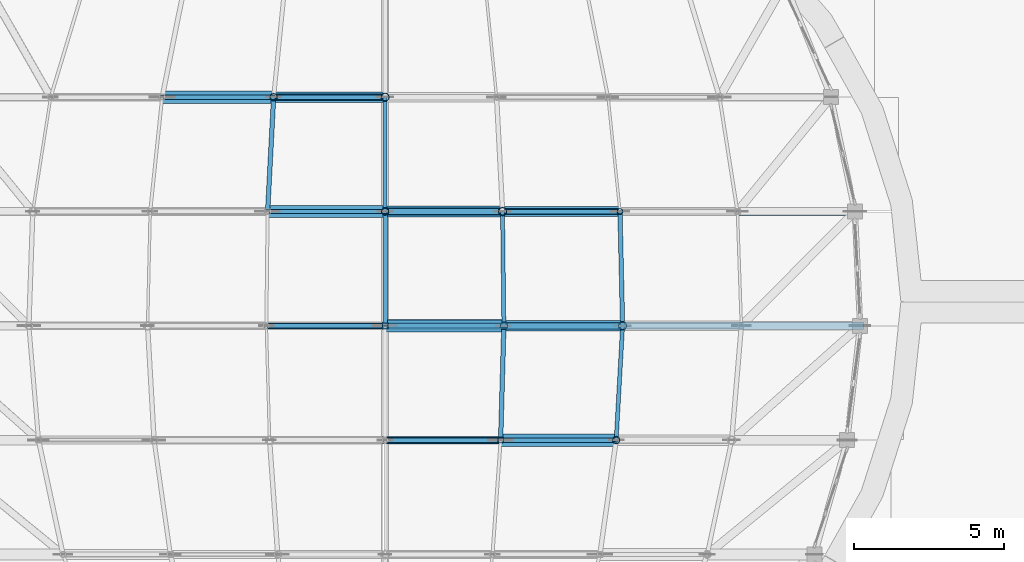
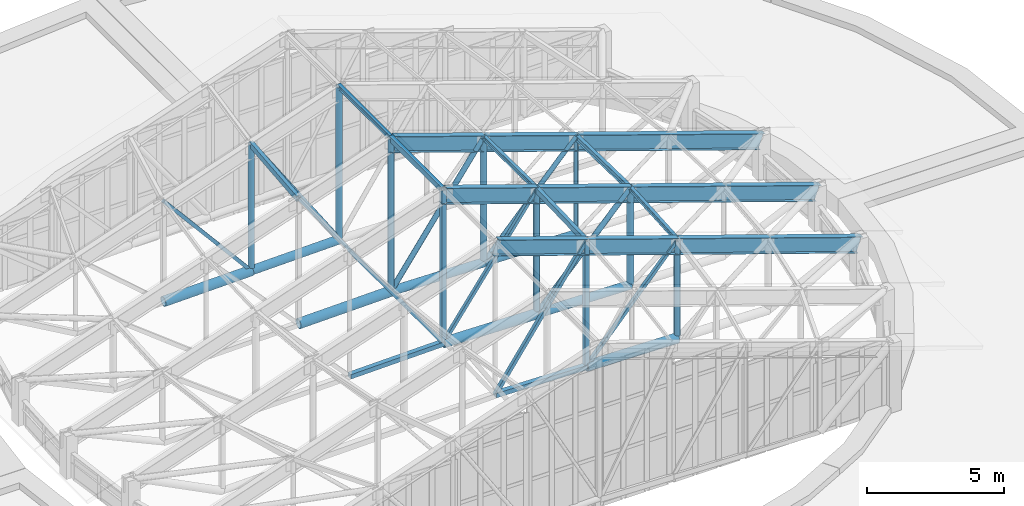
# One storey, part 15 of 105: 37 members, 3 beams.
"""IFC4 building model written with IfcOpenShell, lengths in metres."""

from ifc_helpers import new_model, si_unit, direction, frame, origin, origin_2d, place, context, subcontext, project, spatial, hollow_rectangle, hollow_circle, i_section, extrude, material, material_profile, profile_set, type_object, element, save


model = new_model("IFC4")

# Units and contexts
model_context = context("Model", 3, precision=1e-05, world=origin(), true_north=direction((0.0, 1.0)))
body_context = subcontext(model_context, "Body", "Model", "MODEL_VIEW")
ifc_project = project(units=[si_unit("LENGTHUNIT", "METRE"), si_unit("AREAUNIT", "SQUARE_METRE"), si_unit("VOLUMEUNIT", "CUBIC_METRE"), si_unit("PLANEANGLEUNIT", "RADIAN"), si_unit("MASSUNIT", "GRAM", prefix="KILO")], contexts=[model_context])

# Site, building, storey
site_placement = place(None, origin())
site = spatial("IfcSite", under=ifc_project, at=site_placement, CompositionType="ELEMENT")
building_placement = place(site_placement, origin())
building = spatial("IfcBuilding", under=site, at=building_placement, Name="Corveleigh Park Community Centre", CompositionType="ELEMENT")
storey_placement = place(building_placement, frame((0.0, 0.0, 8.699951171875)))
storey = spatial("IfcBuildingStorey", under=building, at=storey_placement, Name="L02", CompositionType="ELEMENT", Elevation=8.699951171875)

# Beams
ifc_material = material(Name="Steel S355", Category="steel")
ifc_material_profile_1 = material_profile(ifc_material, i_section(OverallWidth=0.253662109375, OverallDepth=0.68359375, WebThickness=0.012451171875, FlangeThickness=0.01904296875, at=origin_2d()), Name="UKB 686x254x140", Category="steel")
ifc_profile_set_1 = profile_set([ifc_material_profile_1], Name="Steel S355")
beam_type = type_object("IfcBeamType", Name="BM-STL-UKB686x140", PredefinedType="BEAM", material=ifc_profile_set_1)
beam_1_placement = place(storey_placement, frame((31.0, 23.0, 6.951416015625), z_axis=(0.946282968881, 0.0, -0.323339670944), x_axis=(0.0, 1.0, 0.0)))
element("IfcBeam", 1, at=beam_1_placement, inside=storey, type_object=beam_type, Name="V1 Portal Rafter E3", PredefinedType="BEAM", context=body_context, shape_type="SweptSolid", body=[
    extrude(i_section(OverallWidth=0.253662109375, OverallDepth=0.68359375, WebThickness=0.012451171875, FlangeThickness=0.01904296875, at=origin_2d()), origin(), (0.0, 0.0, 1.0), 16.230712890625),
])
beam_2_placement = place(storey_placement, frame((31.0, 26.800048828125, 6.951416015625), z_axis=(0.946288933388, 0.0, -0.323322214745), x_axis=(0.0, 1.0, 0.0)))
element("IfcBeam", 2, at=beam_2_placement, inside=storey, type_object=beam_type, Name="V1 Portal Rafter E4", PredefinedType="BEAM", context=body_context, shape_type="SweptSolid", body=[
    extrude(i_section(OverallWidth=0.253662109375, OverallDepth=0.68359375, WebThickness=0.012451171875, FlangeThickness=0.01904296875, at=origin_2d()), origin(), (0.0, 0.0, 1.0), 16.68310546875),
])
beam_3_placement = place(storey_placement, frame((31.0, 30.60009765625, 6.951416015625), z_axis=(0.9462878162, 0.0, -0.323325484475), x_axis=(0.0, 1.0, 0.0)))
element("IfcBeam", 3, at=beam_3_placement, inside=storey, type_object=beam_type, Name="V1 Portal Rafter E5", PredefinedType="BEAM", context=body_context, shape_type="SweptSolid", body=[
    extrude(i_section(OverallWidth=0.253662109375, OverallDepth=0.68359375, WebThickness=0.012451171875, FlangeThickness=0.01904296875, at=origin_2d()), origin(), (0.0, 0.0, 1.0), 16.500244140625),
])

# Members
ifc_material_profile_2 = material_profile(ifc_material, hollow_circle(Radius=0.096923828125, WallThickness=0.010009765625, at=origin_2d()), Name="CHS 193.7x10.0", Category="steel")
ifc_profile_set_2 = profile_set([ifc_material_profile_2], Name="Steel S355")
member_type_1 = type_object("IfcMemberType", Name="MEM-BRC-CHS194", PredefinedType="BRACE", material=ifc_profile_set_2)
member_1_placement = place(storey_placement, frame((38.806884765625, 30.60009765625, 4.53271484375), z_axis=(-0.674686457753, 0.0, -0.738104453126), x_axis=(0.0, -1.0, 0.0)))
element("IfcMember", 4, at=member_1_placement, inside=storey, type_object=member_type_1, Name="V1 Truss T5 Web Diagonal", PredefinedType="BRACE", context=body_context, shape_type="SweptSolid", body=[
    extrude(hollow_circle(Radius=0.096923828125, WallThickness=0.010009765625, at=origin_2d()), origin(), (0.0, 0.0, 1.0), 5.7861328125),
])
ifc_material_profile_3 = material_profile(ifc_material, hollow_circle(Radius=0.109619140625, WallThickness=0.010009765625, at=origin_2d()), Name="CHS 219.1x10.0", Category="steel")
ifc_profile_set_3 = profile_set([ifc_material_profile_3], Name="Steel S355")
member_type_2 = type_object("IfcMemberType", Name="MEM-BRC-CHS219", PredefinedType="BRACE", material=ifc_profile_set_3)
member_2_placement = place(storey_placement, frame((38.89306640625, 26.800048828125, 4.503173828125), z_axis=(-0.681171719253, 0.0, -0.732123684147), x_axis=(0.0, -1.0, 0.0)))
element("IfcMember", 5, at=member_2_placement, inside=storey, type_object=member_type_2, Name="V1 Truss T4 Web Diagonal", PredefinedType="BRACE", context=body_context, shape_type="SweptSolid", body=[
    extrude(hollow_circle(Radius=0.109619140625, WallThickness=0.010009765625, at=origin_2d()), origin(), (0.0, 0.0, 1.0), 5.79296875),
])
member_3_placement = place(storey_placement, frame((34.903076171875, 30.60009765625, 5.866455078125), z_axis=(-0.577589230365, 0.0, -0.816327557397), x_axis=(0.0, -1.0, 0.0)))
element("IfcMember", 6, at=member_3_placement, inside=storey, type_object=member_type_2, Name="V1 Truss T5 Web Diagonal", PredefinedType="BRACE", context=body_context, shape_type="SweptSolid", body=[
    extrude(hollow_circle(Radius=0.109619140625, WallThickness=0.010009765625, at=origin_2d()), origin(), (0.0, 0.0, 1.0), 6.757568359375),
])
member_4_placement = place(storey_placement, frame((27.294921875, 34.39990234375, 5.93408203125), z_axis=(0.552882909983, 0.0, -0.833258956057), x_axis=(0.0, 1.0, 0.0)))
element("IfcMember", 7, at=member_4_placement, inside=storey, type_object=member_type_2, Name="V1 Truss T6 Web Diagonal", PredefinedType="BRACE", context=body_context, shape_type="SweptSolid", body=[
    extrude(hollow_circle(Radius=0.109619140625, WallThickness=0.010009765625, at=origin_2d()), origin(), (0.0, 0.0, 1.0), 6.701416015625),
])
ifc_material_profile_4 = material_profile(ifc_material, hollow_rectangle(XDim=0.139892578125, YDim=0.139892578125, WallThickness=0.008056640625, at=origin_2d()), Name="SHS 140x140x8.0", Category="steel")
ifc_profile_set_4 = profile_set([ifc_material_profile_4], Name="Steel S355")
member_type_3 = type_object("IfcMemberType", Name="MEM-BRC-SHS140", PredefinedType="BRACE", material=ifc_profile_set_4)
member_5_placement = place(storey_placement, frame((38.679931640625, 23.0, 4.575927734375), z_axis=(-0.664867463732, 0.0, -0.746961348178), x_axis=(0.0, -1.0, 0.0)))
element("IfcMember", 8, at=member_5_placement, inside=storey, type_object=member_type_3, Name="V1 Truss T3 Web Diagonal", PredefinedType="BRACE", context=body_context, shape_type="SweptSolid", body=[
    extrude(hollow_rectangle(XDim=0.139892578125, YDim=0.139892578125, WallThickness=0.008056640625, at=origin_2d()), origin(), (0.0, 0.0, 1.0), 5.775390625),
])
member_6_placement = place(storey_placement, frame((34.947021484375, 26.800048828125, 5.8515625), z_axis=(-0.58293892596, 0.0, -0.812515974366), x_axis=(0.0, -1.0, 0.0)))
element("IfcMember", 9, at=member_6_placement, inside=storey, type_object=member_type_3, Name="V1 Truss T4 Web Diagonal", PredefinedType="BRACE", context=body_context, shape_type="SweptSolid", body=[
    extrude(hollow_rectangle(XDim=0.139892578125, YDim=0.139892578125, WallThickness=0.008056640625, at=origin_2d()), origin(), (0.0, 0.0, 1.0), 6.77099609375),
])
member_7_placement = place(storey_placement, frame((27.095947265625, 30.60009765625, 5.8662109375), z_axis=(0.577702556693, 0.0, -0.816247362011), x_axis=(0.0, 1.0, 0.0)))
element("IfcMember", 10, at=member_7_placement, inside=storey, type_object=member_type_3, Name="V1 Truss T5 Web Diagonal", PredefinedType="BRACE", context=body_context, shape_type="SweptSolid", body=[
    extrude(hollow_rectangle(XDim=0.139892578125, YDim=0.139892578125, WallThickness=0.008056640625, at=origin_2d()), origin(), (0.0, 0.0, 1.0), 6.7578125),
])
member_8_placement = place(storey_placement, frame((23.591064453125, 34.39990234375, 4.668701171875), z_axis=(0.643415850082, 0.0, -0.765516847537), x_axis=(0.0, 1.0, 0.0)))
element("IfcMember", 11, at=member_8_placement, inside=storey, type_object=member_type_3, Name="V1 Truss T6 Web Diagonal", PredefinedType="BRACE", context=body_context, shape_type="SweptSolid", body=[
    extrude(hollow_rectangle(XDim=0.139892578125, YDim=0.139892578125, WallThickness=0.008056640625, at=origin_2d()), origin(), (0.0, 0.0, 1.0), 5.756591796875),
])
ifc_material_profile_5 = material_profile(ifc_material, hollow_rectangle(XDim=0.14990234375, YDim=0.14990234375, WallThickness=0.008056640625, at=origin_2d()), Name="SHS 150x150x8.0", Category="steel")
ifc_profile_set_5 = profile_set([ifc_material_profile_5], Name="Steel S355")
member_type_4 = type_object("IfcMemberType", Name="MEM-BRC-SHS150", PredefinedType="BRACE", material=ifc_profile_set_5)
member_9_placement = place(storey_placement, frame((34.840087890625, 23.0, 5.887939453125), z_axis=(-0.569831489992, 0.0, -0.821761567009), x_axis=(0.0, -1.0, 0.0)))
element("IfcMember", 12, at=member_9_placement, inside=storey, type_object=member_type_4, Name="V1 Truss T3 Web Diagonal", PredefinedType="BRACE", context=body_context, shape_type="SweptSolid", body=[
    extrude(hollow_rectangle(XDim=0.14990234375, YDim=0.14990234375, WallThickness=0.008056640625, at=origin_2d()), origin(), (0.0, 0.0, 1.0), 6.739013671875),
])
member_10_placement = place(storey_placement, frame((27.052978515625, 26.800048828125, 5.8515625), z_axis=(0.58293892596, 0.0, -0.812515974366), x_axis=(0.0, 1.0, 0.0)))
element("IfcMember", 13, at=member_10_placement, inside=storey, type_object=member_type_4, Name="V1 Truss T4 Web Diagonal", PredefinedType="BRACE", context=body_context, shape_type="SweptSolid", body=[
    extrude(hollow_rectangle(XDim=0.14990234375, YDim=0.14990234375, WallThickness=0.008056640625, at=origin_2d()), origin(), (0.0, 0.0, 1.0), 6.77099609375),
])
ifc_material_profile_6 = material_profile(ifc_material, hollow_circle(Radius=0.161865234375, WallThickness=0.01611328125, at=origin_2d()), Name="CHS 323.9x16.0", Category="steel")
ifc_profile_set_6 = profile_set([ifc_material_profile_6], Name="Steel S355")
member_type_5 = type_object("IfcMemberType", Name="MEM-CHD-CHS324", PredefinedType="CHORD", material=ifc_profile_set_6)
member_11_placement = place(storey_placement, frame((34.903076171875, 30.60009765625, 0.261962890625), z_axis=(0.999752251145, 0.0, -0.022258399087), x_axis=(0.0, 1.0, 0.0)))
element("IfcMember", 14, at=member_11_placement, inside=storey, type_object=member_type_5, Name="V1 Truss T5 Bottom Chord", PredefinedType="CHORD", context=body_context, shape_type="SweptSolid", body=[
    extrude(hollow_circle(Radius=0.161865234375, WallThickness=0.01611328125, at=origin_2d()), origin(), (0.0, 0.0, 1.0), 3.90478515625),
])
ifc_material_profile_7 = material_profile(ifc_material, hollow_circle(Radius=0.177734375, WallThickness=0.01611328125, at=origin_2d()), Name="CHS 355.6x16.0", Category="steel")
ifc_profile_set_7 = profile_set([ifc_material_profile_7], Name="Steel S355")
member_type_6 = type_object("IfcMemberType", Name="MEM-CHD-CHS356", PredefinedType="CHORD", material=ifc_profile_set_7)
member_12_placement = place(storey_placement, frame((34.947021484375, 26.800048828125, 0.261962890625), z_axis=(0.999757524383, 0.0, -0.022020273382), x_axis=(0.0, 1.0, 0.0)))
element("IfcMember", 15, at=member_12_placement, inside=storey, type_object=member_type_6, Name="V1 Truss T4 Bottom Chord", PredefinedType="CHORD", context=body_context, shape_type="SweptSolid", body=[
    extrude(hollow_circle(Radius=0.177734375, WallThickness=0.01611328125, at=origin_2d()), origin(), (0.0, 0.0, 1.0), 3.947021484375),
])
member_13_placement = place(storey_placement, frame((31.0, 30.60009765625, 0.35009765625), z_axis=(0.999745150132, 0.0, -0.022575092212), x_axis=(0.0, 1.0, 0.0)))
element("IfcMember", 16, at=member_13_placement, inside=storey, type_object=member_type_6, Name="V1 Truss T5 Bottom Chord", PredefinedType="CHORD", context=body_context, shape_type="SweptSolid", body=[
    extrude(hollow_circle(Radius=0.177734375, WallThickness=0.01611328125, at=origin_2d()), origin(), (0.0, 0.0, 1.0), 3.904052734375),
])
member_14_placement = place(storey_placement, frame((27.294921875, 34.39990234375, 0.261962890625), z_axis=(0.999717196024, 0.0, 0.023780832088), x_axis=(0.0, 1.0, 0.0)))
element("IfcMember", 17, at=member_14_placement, inside=storey, type_object=member_type_6, Name="V1 Truss T6 Bottom Chord", PredefinedType="CHORD", context=body_context, shape_type="SweptSolid", body=[
    extrude(hollow_circle(Radius=0.177734375, WallThickness=0.01611328125, at=origin_2d()), origin(), (0.0, 0.0, 1.0), 3.7060546875),
])
ifc_material_profile_8 = material_profile(ifc_material, hollow_circle(Radius=0.203125, WallThickness=0.02001953125, at=origin_2d()), Name="CHS 406.4x20.0", Category="steel")
ifc_profile_set_8 = profile_set([ifc_material_profile_8], Name="Steel S355")
member_type_7 = type_object("IfcMemberType", Name="MEM-CHD-CHS406", PredefinedType="CHORD", material=ifc_profile_set_8)
member_15_placement = place(storey_placement, frame((34.840087890625, 23.0, 0.261962890625), z_axis=(0.999743931498, 0.0, -0.022628995398), x_axis=(0.0, 1.0, 0.0)))
element("IfcMember", 18, at=member_15_placement, inside=storey, type_object=member_type_7, Name="V1 Truss T3 Bottom Chord", PredefinedType="CHORD", context=body_context, shape_type="SweptSolid", body=[
    extrude(hollow_circle(Radius=0.203125, WallThickness=0.02001953125, at=origin_2d()), origin(), (0.0, 0.0, 1.0), 3.8408203125),
])
member_16_placement = place(storey_placement, frame((31.0, 26.800048828125, 0.35009765625), z_axis=(0.999750791321, 0.0, -0.022323871817), x_axis=(0.0, 1.0, 0.0)))
element("IfcMember", 19, at=member_16_placement, inside=storey, type_object=member_type_7, Name="V1 Truss T4 Bottom Chord", PredefinedType="CHORD", context=body_context, shape_type="SweptSolid", body=[
    extrude(hollow_circle(Radius=0.203125, WallThickness=0.02001953125, at=origin_2d()), origin(), (0.0, 0.0, 1.0), 3.947998046875),
])
member_17_placement = place(storey_placement, frame((27.095947265625, 30.60009765625, 0.261962890625), z_axis=(0.999745277564, 0.0, 0.02256944814), x_axis=(0.0, 1.0, 0.0)))
element("IfcMember", 20, at=member_17_placement, inside=storey, type_object=member_type_7, Name="V1 Truss T5 Bottom Chord", PredefinedType="CHORD", context=body_context, shape_type="SweptSolid", body=[
    extrude(hollow_circle(Radius=0.203125, WallThickness=0.02001953125, at=origin_2d()), origin(), (0.0, 0.0, 1.0), 3.905029296875),
])
member_18_placement = place(storey_placement, frame((23.591064453125, 34.39990234375, 0.175048828125), z_axis=(0.999724791228, 0.0, 0.023459364951), x_axis=(0.0, 1.0, 0.0)))
element("IfcMember", 21, at=member_18_placement, inside=storey, type_object=member_type_7, Name="V1 Truss T6 Bottom Chord", PredefinedType="CHORD", context=body_context, shape_type="SweptSolid", body=[
    extrude(hollow_circle(Radius=0.203125, WallThickness=0.02001953125, at=origin_2d()), origin(), (0.0, 0.0, 1.0), 3.704833984375),
])
ifc_material_profile_9 = material_profile(ifc_material, hollow_rectangle(XDim=0.199951171875, YDim=0.199951171875, WallThickness=0.010009765625, at=origin_2d()), Name="SHS 200x200x10.0", Category="steel")
ifc_profile_set_9 = profile_set([ifc_material_profile_9], Name="Steel S355")
member_type_8 = type_object("IfcMemberType", Name="MEM-CHD-SHS200", PredefinedType="CHORD", material=ifc_profile_set_9)
member_19_placement = place(storey_placement, frame((31.0, 23.0, 0.35009765625), z_axis=(0.999736724378, 0.0, -0.022945194068), x_axis=(0.0, 1.0, 0.0)))
element("IfcMember", 22, at=member_19_placement, inside=storey, type_object=member_type_8, Name="V1 Truss T3 Bottom Chord", PredefinedType="CHORD", context=body_context, shape_type="SweptSolid", body=[
    extrude(hollow_rectangle(XDim=0.199951171875, YDim=0.199951171875, WallThickness=0.010009765625, at=origin_2d()), origin(), (0.0, 0.0, 1.0), 3.841064453125),
])
member_20_placement = place(storey_placement, frame((27.052978515625, 26.800048828125, 0.261962890625), z_axis=(0.999750791321, 0.0, 0.022323871817), x_axis=(0.0, 1.0, 0.0)))
element("IfcMember", 23, at=member_20_placement, inside=storey, type_object=member_type_8, Name="V1 Truss T4 Bottom Chord", PredefinedType="CHORD", context=body_context, shape_type="SweptSolid", body=[
    extrude(hollow_rectangle(XDim=0.199951171875, YDim=0.199951171875, WallThickness=0.010009765625, at=origin_2d()), origin(), (0.0, 0.0, 1.0), 3.947998046875),
])
ifc_material_profile_10 = material_profile(ifc_material, hollow_rectangle(XDim=0.14990234375, YDim=0.25, WallThickness=0.010009765625, at=origin_2d()), Name="RHS 250x150x10.0", Category="steel")
ifc_profile_set_10 = profile_set([ifc_material_profile_10], Name="Steel S355")
member_type_9 = type_object("IfcMemberType", Name="MEM-PRL-RHS250", PredefinedType="PURLIN", material=ifc_profile_set_10)
member_21_placement = place(storey_placement, frame((34.840087890625, 23.0, 5.865966796875), z_axis=(0.028127617833, 0.999557925947, -0.009632745833), x_axis=(-0.99960430356, 0.028128922901, 0.0)))
element("IfcMember", 24, at=member_21_placement, inside=storey, type_object=member_type_9, Name="V1 Pitched Roof Purlin", PredefinedType="PURLIN", context=body_context, shape_type="SweptSolid", body=[
    extrude(hollow_rectangle(XDim=0.14990234375, YDim=0.25, WallThickness=0.010009765625, at=origin_2d()), origin(), (0.0, 0.0, 1.0), 3.8017578125),
])
member_22_placement = place(storey_placement, frame((31.0, 26.800048828125, 7.177978515625), z_axis=(0.0, 1.0, 0.0), x_axis=(-1.0, 0.0, 0.0)))
element("IfcMember", 25, at=member_22_placement, inside=storey, type_object=member_type_9, Name="V1 Pitched Roof Purlin", PredefinedType="PURLIN", context=body_context, shape_type="SweptSolid", body=[
    extrude(hollow_rectangle(XDim=0.14990234375, YDim=0.25, WallThickness=0.010009765625, at=origin_2d()), origin(), (0.0, 0.0, 1.0), 3.800048828125),
])
member_23_placement = place(storey_placement, frame((27.095947265625, 30.60009765625, 5.84423828125), z_axis=(0.052284468541, 0.998472967336, 0.017834456754), x_axis=(-0.9986317963, 0.05229278553, 0.0)))
element("IfcMember", 26, at=member_23_placement, inside=storey, type_object=member_type_9, Name="V1 Pitched Roof Purlin", PredefinedType="PURLIN", context=body_context, shape_type="SweptSolid", body=[
    extrude(hollow_rectangle(XDim=0.14990234375, YDim=0.25, WallThickness=0.010009765625, at=origin_2d()), origin(), (0.0, 0.0, 1.0), 3.8056640625),
])
ifc_material_profile_11 = material_profile(ifc_material, i_section(OverallWidth=0.13330078125, OverallDepth=0.203125, WebThickness=0.005615234375, FlangeThickness=0.0078125, at=origin_2d()), Name="UKB 203x133x25", Category="steel")
ifc_profile_set_11 = profile_set([ifc_material_profile_11], Name="Steel S355")
member_type_10 = type_object("IfcMemberType", Name="MEM-PRL-UKB203", PredefinedType="PURLIN", material=ifc_profile_set_11)
member_24_placement = place(storey_placement, frame((38.679931640625, 23.0, 4.577392578125), z_axis=(0.055989135142, 0.998248440421, -0.019111984275), x_axis=(-0.998430804459, 0.055999363462, 0.0)))
element("IfcMember", 27, at=member_24_placement, inside=storey, type_object=member_type_10, Name="V1 Pitched Roof Purlin", PredefinedType="PURLIN", context=body_context, shape_type="SweptSolid", body=[
    extrude(i_section(OverallWidth=0.13330078125, OverallDepth=0.203125, WebThickness=0.005615234375, FlangeThickness=0.0078125, at=origin_2d()), origin(), (0.0, 0.0, 1.0), 3.806640625),
])
member_25_placement = place(storey_placement, frame((34.947021484375, 26.800048828125, 5.852783203125), z_axis=(-0.011563542391, 0.99992520731, 0.003982997935), x_axis=(-0.999933138948, -0.011563634116, 0.0)))
element("IfcMember", 28, at=member_25_placement, inside=storey, type_object=member_type_10, Name="V1 Pitched Roof Purlin", PredefinedType="PURLIN", context=body_context, shape_type="SweptSolid", body=[
    extrude(i_section(OverallWidth=0.13330078125, OverallDepth=0.203125, WebThickness=0.005615234375, FlangeThickness=0.0078125, at=origin_2d()), origin(), (0.0, 0.0, 1.0), 3.80029296875),
])
member_26_placement = place(storey_placement, frame((31.0, 30.60009765625, 7.201416015625), z_axis=(0.0, 1.0, 0.0), x_axis=(-1.0, 0.0, 0.0)))
element("IfcMember", 29, at=member_26_placement, inside=storey, type_object=member_type_10, Name="V1 Pitched Roof Purlin", PredefinedType="PURLIN", context=body_context, shape_type="SweptSolid", body=[
    extrude(i_section(OverallWidth=0.13330078125, OverallDepth=0.203125, WebThickness=0.005615234375, FlangeThickness=0.0078125, at=origin_2d()), origin(), (0.0, 0.0, 1.0), 3.7998046875),
])
ifc_material_profile_12 = material_profile(ifc_material, i_section(OverallWidth=0.14599609375, OverallDepth=0.25146484375, WebThickness=0.006103515625, FlangeThickness=0.008544921875, at=origin_2d()), Name="UKB 254x146x31", Category="steel")
ifc_profile_set_12 = profile_set([ifc_material_profile_12], Name="Steel S355")
member_type_11 = type_object("IfcMemberType", Name="MEM-PRL-UKB254", PredefinedType="PURLIN", material=ifc_profile_set_12)
member_27_placement = place(storey_placement, frame((38.89306640625, 26.800048828125, 4.48046875), z_axis=(-0.022672572832, 0.999712736934, 0.00777161845), x_axis=(-0.999742928653, -0.022673257553, 0.0)))
element("IfcMember", 30, at=member_27_placement, inside=storey, type_object=member_type_11, Name="V1 Pitched Roof Purlin", PredefinedType="PURLIN", context=body_context, shape_type="SweptSolid", body=[
    extrude(i_section(OverallWidth=0.14599609375, OverallDepth=0.25146484375, WebThickness=0.006103515625, FlangeThickness=0.008544921875, at=origin_2d()), origin(), (0.0, 0.0, 1.0), 3.801025390625),
])
ifc_material_profile_13 = material_profile(ifc_material, hollow_circle(Radius=0.096923828125, WallThickness=0.010009765625, at=origin_2d()), Name="CHS 193.7x10.0", Category="steel")
ifc_profile_set_13 = profile_set([ifc_material_profile_13], Name="Steel S355")
member_type_12 = type_object("IfcMemberType", Name="MEM-STR-CHS194I", PredefinedType="STRUT", material=ifc_profile_set_13)
member_28_placement = place(storey_placement, frame((38.806884765625, 30.60009765625, 0.175048828125), z_axis=(0.0, 0.0, 1.0), x_axis=(1.0, 0.0, 0.0)))
element("IfcMember", 31, at=member_28_placement, inside=storey, type_object=member_type_12, Name="V1 Truss T5 Web Post", PredefinedType="STRUT", context=body_context, shape_type="SweptSolid", body=[
    extrude(hollow_circle(Radius=0.096923828125, WallThickness=0.010009765625, at=origin_2d()), origin(), (0.0, 0.0, 1.0), 4.357666015625),
])
ifc_material_profile_14 = material_profile(ifc_material, hollow_circle(Radius=0.122314453125, WallThickness=0.012451171875, at=origin_2d()), Name="CHS 244.5x12.5", Category="steel")
ifc_profile_set_14 = profile_set([ifc_material_profile_14], Name="Steel S355")
member_type_13 = type_object("IfcMemberType", Name="MEM-STR-CHS245", PredefinedType="STRUT", material=ifc_profile_set_14)
member_29_placement = place(storey_placement, frame((38.679931640625, 23.0, 0.175048828125), z_axis=(0.0, 0.0, 1.0), x_axis=(1.0, 0.0, 0.0)))
element("IfcMember", 32, at=member_29_placement, inside=storey, type_object=member_type_13, Name="V1 Truss T3 Web Post", PredefinedType="STRUT", context=body_context, shape_type="SweptSolid", body=[
    extrude(hollow_circle(Radius=0.122314453125, WallThickness=0.012451171875, at=origin_2d()), origin(), (0.0, 0.0, 1.0), 4.40087890625),
])
member_30_placement = place(storey_placement, frame((34.947021484375, 26.800048828125, 0.261962890625), z_axis=(0.0, 0.0, 1.0), x_axis=(1.0, 0.0, 0.0)))
element("IfcMember", 33, at=member_30_placement, inside=storey, type_object=member_type_13, Name="V1 Truss T4 Web Post", PredefinedType="STRUT", context=body_context, shape_type="SweptSolid", body=[
    extrude(hollow_circle(Radius=0.122314453125, WallThickness=0.012451171875, at=origin_2d()), origin(), (0.0, 0.0, 1.0), 5.589599609375),
])
member_31_placement = place(storey_placement, frame((31.0, 30.60009765625, 0.35009765625), z_axis=(0.0, 0.0, 1.0), x_axis=(1.0, 0.0, 0.0)))
element("IfcMember", 34, at=member_31_placement, inside=storey, type_object=member_type_13, Name="V1 Truss T5 Web Post", PredefinedType="STRUT", context=body_context, shape_type="SweptSolid", body=[
    extrude(hollow_circle(Radius=0.122314453125, WallThickness=0.012451171875, at=origin_2d()), origin(), (0.0, 0.0, 1.0), 6.849853515625),
])
member_32_placement = place(storey_placement, frame((27.294921875, 34.39990234375, 0.261962890625), z_axis=(0.0, 0.0, 1.0), x_axis=(1.0, 0.0, 0.0)))
element("IfcMember", 35, at=member_32_placement, inside=storey, type_object=member_type_13, Name="V1 Truss T6 Web Post", PredefinedType="STRUT", context=body_context, shape_type="SweptSolid", body=[
    extrude(hollow_circle(Radius=0.122314453125, WallThickness=0.012451171875, at=origin_2d()), origin(), (0.0, 0.0, 1.0), 5.672119140625),
])
ifc_material_profile_15 = material_profile(ifc_material, hollow_circle(Radius=0.136474609375, WallThickness=0.012451171875, at=origin_2d()), Name="CHS 273.0x12.5", Category="steel")
ifc_profile_set_15 = profile_set([ifc_material_profile_15], Name="Steel S355")
member_type_14 = type_object("IfcMemberType", Name="MEM-STR-CHS273E", PredefinedType="STRUT", material=ifc_profile_set_15)
member_33_placement = place(storey_placement, frame((38.89306640625, 26.800048828125, 0.175048828125), z_axis=(0.0, 0.0, 1.0), x_axis=(1.0, 0.0, 0.0)))
element("IfcMember", 36, at=member_33_placement, inside=storey, type_object=member_type_14, Name="V1 Truss T4 Web Post", PredefinedType="STRUT", context=body_context, shape_type="SweptSolid", body=[
    extrude(hollow_circle(Radius=0.136474609375, WallThickness=0.012451171875, at=origin_2d()), origin(), (0.0, 0.0, 1.0), 4.328125),
])
member_34_placement = place(storey_placement, frame((34.903076171875, 30.60009765625, 0.261962890625), z_axis=(0.0, 0.0, 1.0), x_axis=(1.0, 0.0, 0.0)))
element("IfcMember", 37, at=member_34_placement, inside=storey, type_object=member_type_14, Name="V1 Truss T5 Web Post", PredefinedType="STRUT", context=body_context, shape_type="SweptSolid", body=[
    extrude(hollow_circle(Radius=0.136474609375, WallThickness=0.012451171875, at=origin_2d()), origin(), (0.0, 0.0, 1.0), 5.6044921875),
])
member_35_placement = place(storey_placement, frame((31.0, 34.39990234375, 0.35009765625), z_axis=(0.0, 0.0, 1.0), x_axis=(1.0, 0.0, 0.0)))
element("IfcMember", 38, at=member_35_placement, inside=storey, type_object=member_type_14, Name="V1 Truss T6 Web Post", PredefinedType="STRUT", context=body_context, shape_type="SweptSolid", body=[
    extrude(hollow_circle(Radius=0.136474609375, WallThickness=0.012451171875, at=origin_2d()), origin(), (0.0, 0.0, 1.0), 6.849853515625),
])
ifc_material_profile_16 = material_profile(ifc_material, hollow_rectangle(XDim=0.179931640625, YDim=0.179931640625, WallThickness=0.010009765625, at=origin_2d()), Name="SHS 180x180x10.0", Category="steel")
ifc_profile_set_16 = profile_set([ifc_material_profile_16], Name="Steel S355")
member_type_15 = type_object("IfcMemberType", Name="MEM-STR-SHS180I", PredefinedType="STRUT", material=ifc_profile_set_16)
member_36_placement = place(storey_placement, frame((34.840087890625, 23.0, 0.261962890625), z_axis=(0.0, 0.0, 1.0), x_axis=(1.0, 0.0, 0.0)))
element("IfcMember", 39, at=member_36_placement, inside=storey, type_object=member_type_15, Name="V1 Truss T3 Web Post", PredefinedType="STRUT", context=body_context, shape_type="SweptSolid", body=[
    extrude(hollow_rectangle(XDim=0.179931640625, YDim=0.179931640625, WallThickness=0.010009765625, at=origin_2d()), origin(), (0.0, 0.0, 1.0), 5.6259765625),
])
member_37_placement = place(storey_placement, frame((31.0, 26.800048828125, 0.35009765625), z_axis=(0.0, 0.0, 1.0), x_axis=(1.0, 0.0, 0.0)))
element("IfcMember", 40, at=member_37_placement, inside=storey, type_object=member_type_15, Name="V1 Truss T4 Web Post", PredefinedType="STRUT", context=body_context, shape_type="SweptSolid", body=[
    extrude(hollow_rectangle(XDim=0.179931640625, YDim=0.179931640625, WallThickness=0.010009765625, at=origin_2d()), origin(), (0.0, 0.0, 1.0), 6.849853515625),
])

save(model, "model.ifc")
